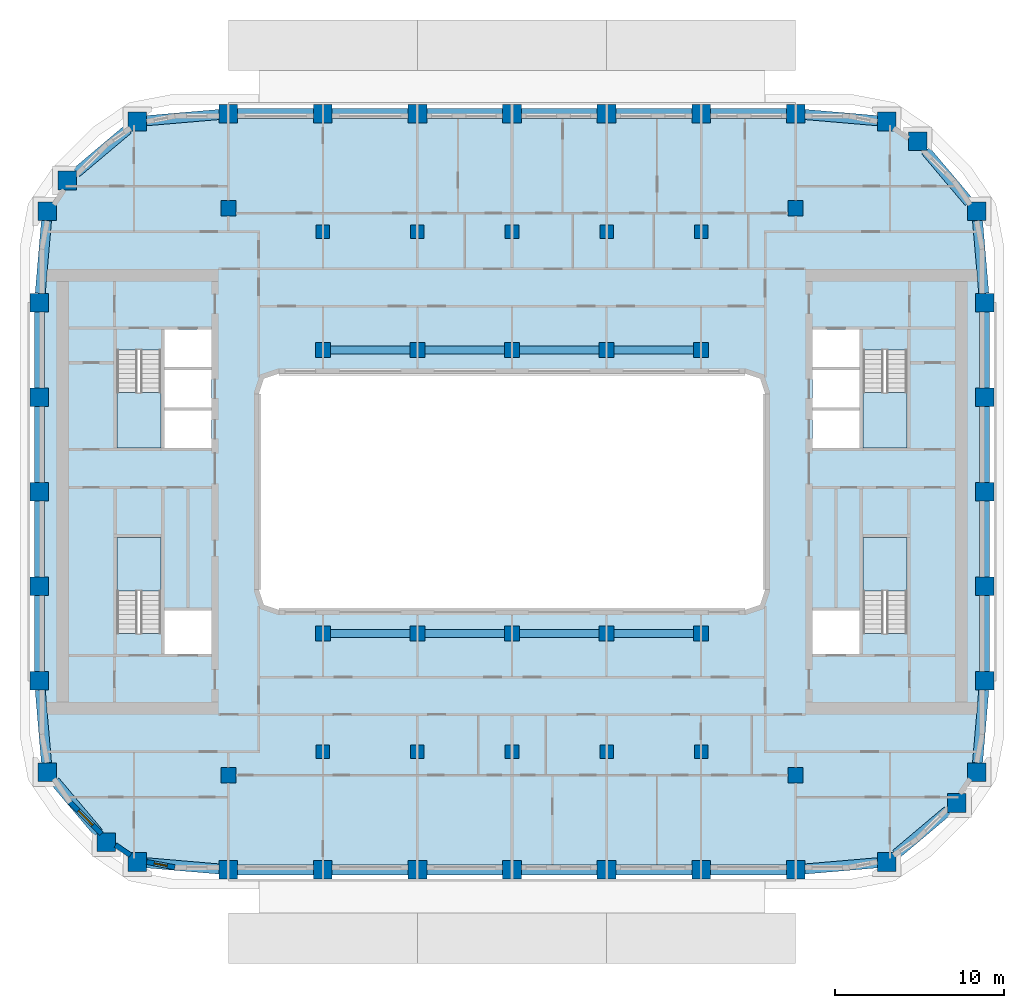
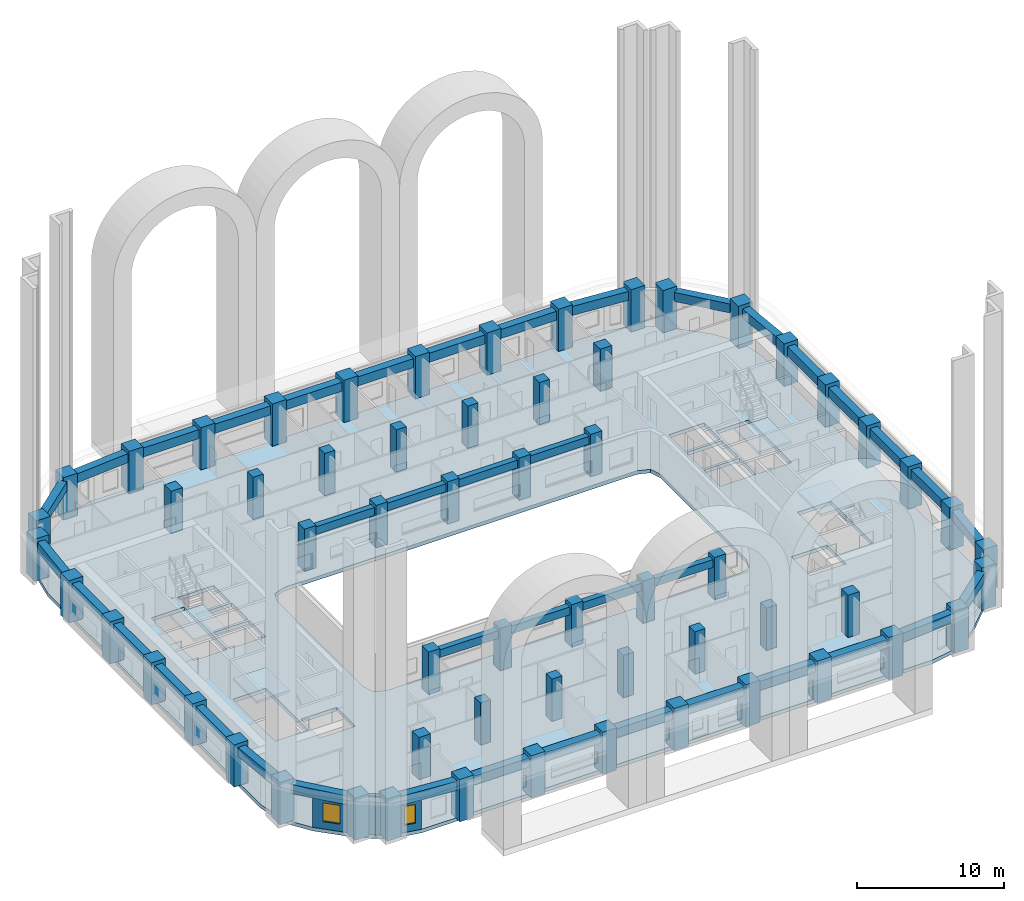
# One storey, part 1 of 18: 60 columns, 40 beams, 5 slabs, 3 walls, 2 windows, 2 openings, 4 elements without a shape of their own.
"""IFC4 building model written with IfcOpenShell, lengths in metres."""

from ifc_helpers import new_model, si_unit, direction, frame, frame_2d, origin, origin_2d, place, context, subcontext, project, spatial, polyline, rectangle, outline, extrude, material, layer, layer_set, material_profile, profile_set, type_object, element, fill, aggregate, save


model = new_model("IFC4")

# Units and contexts
model_context = context("Model", 3, precision=1e-05, world=origin(), true_north=direction((0.0, 1.0)))
body_context = subcontext(model_context, "Body", "Model", "MODEL_VIEW")
ifc_project = project(units=[si_unit("LENGTHUNIT", "METRE"), si_unit("AREAUNIT", "SQUARE_METRE"), si_unit("VOLUMEUNIT", "CUBIC_METRE"), si_unit("PLANEANGLEUNIT", "RADIAN"), si_unit("MASSUNIT", "GRAM", prefix="KILO")], contexts=[model_context])

# Site, building, storey
site_placement = place(None, origin())
site = spatial("IfcSite", under=ifc_project, at=site_placement, CompositionType="ELEMENT")
building_placement = place(site_placement, origin())
building = spatial("IfcBuilding", under=site, at=building_placement, Name="Kiln Ring Residences", CompositionType="ELEMENT")
storey_placement = place(building_placement, frame((0.0, 0.0, 136.10009765625)))
storey = spatial("IfcBuildingStorey", under=building, at=storey_placement, Name="L34", CompositionType="ELEMENT", Elevation=136.10009765625)

# Columns
ifc_material_1 = material(Name="Concrete C70/85", Category="concrete")
ifc_material_profile_1 = material_profile(ifc_material_1, rectangle(XDim=0.800048828125, YDim=0.800048828125, at=origin_2d()), Name="RC800x800")
ifc_profile_set_1 = profile_set([ifc_material_profile_1], Name="Concrete C70/85")
column_type_1 = type_object("IfcColumnType", Name="Corridor column RC800x800 C70/85", PredefinedType="COLUMN", material=ifc_profile_set_1)
for number, where, z_axis, x_axis, name in (
    (1, (-11.199951171875, 15.39990234375, 0.0), (0.0, 0.0, 1.0), (1.0, 0.0, 0.0), "Corridor column L34 1"),
    (2, (-5.60009765625, 15.39990234375, 0.0), (0.0, 0.0, 1.0), (1.0, 0.0, 0.0), "Corridor column L34 2"),
    (3, (0.0, 15.39990234375, 0.0), (0.0, 0.0, 1.0), (1.0, 0.0, 0.0), "Corridor column L34 3"),
    (4, (5.60009765625, 15.39990234375, 0.0), (0.0, 0.0, 1.0), (1.0, 0.0, 0.0), "Corridor column L34 4"),
    (5, (11.199951171875, 15.39990234375, 0.0), (0.0, 0.0, 1.0), (1.0, 0.0, 0.0), "Corridor column L34 5"),
    (6, (-11.199951171875, -15.39990234375, 0.0), (0.0, 0.0, 1.0), (1.0, 0.0, 0.0), "Corridor column L34 6"),
    (7, (-5.60009765625, -15.39990234375, 0.0), (0.0, 0.0, 1.0), (1.0, 0.0, 0.0), "Corridor column L34 7"),
    (8, (0.0, -15.39990234375, 0.0), (0.0, 0.0, 1.0), (1.0, 0.0, 0.0), "Corridor column L34 8"),
    (9, (5.60009765625, -15.39990234375, 0.0), (0.0, 0.0, 1.0), (1.0, 0.0, 0.0), "Corridor column L34 9"),
    (10, (11.199951171875, -15.39990234375, 0.0), (0.0, 0.0, 1.0), (1.0, 0.0, 0.0), "Corridor column L34 10"),
):
    element("IfcColumn", number, at=place(storey_placement, frame(where, z_axis=z_axis, x_axis=x_axis)), inside=storey, type_object=column_type_1, Name=name, PredefinedType="COLUMN", context=body_context, shape_type="SweptSolid", body=[
        extrude(rectangle(XDim=0.800048828125, YDim=0.800048828125, at=origin_2d()), origin(), (0.0, 0.0, 1.0), 3.5),
    ])
ifc_material_2 = material(Name="Concrete C70/85", Category="concrete")
ifc_material_profile_2 = material_profile(ifc_material_2, rectangle(XDim=1.10009765625, YDim=1.10009765625, at=origin_2d()), Name="RC1100x1100")
ifc_profile_set_2 = profile_set([ifc_material_profile_2], Name="Concrete C70/85")
column_type_2 = type_object("IfcColumnType", Name="Perimeter column RC1100x1100 C70/85", PredefinedType="COLUMN", material=ifc_profile_set_2)
for number, where, z_axis, x_axis, name in (
    (11, (-22.208740234375, -21.93798828125, 0.0), (0.0, 0.0, 1.0), (1.0, 0.0, 0.0), "Perimeter column L34 1"),
    (12, (-16.800048828125, -22.39990234375, 0.0), (0.0, 0.0, 1.0), (1.0, 0.0, 0.0), "Perimeter column L34 2"),
    (13, (-11.199951171875, -22.39990234375, 0.0), (0.0, 0.0, 1.0), (1.0, 0.0, 0.0), "Perimeter column L34 3"),
    (14, (-5.60009765625, -22.39990234375, 0.0), (0.0, 0.0, 1.0), (1.0, 0.0, 0.0), "Perimeter column L34 4"),
    (15, (0.0, -22.39990234375, 0.0), (0.0, 0.0, 1.0), (1.0, 0.0, 0.0), "Perimeter column L34 5"),
    (16, (5.60009765625, -22.39990234375, 0.0), (0.0, 0.0, 1.0), (1.0, 0.0, 0.0), "Perimeter column L34 6"),
    (17, (11.199951171875, -22.39990234375, 0.0), (0.0, 0.0, 1.0), (1.0, 0.0, 0.0), "Perimeter column L34 7"),
    (18, (16.800048828125, -22.39990234375, 0.0), (0.0, 0.0, 1.0), (1.0, 0.0, 0.0), "Perimeter column L34 8"),
    (19, (22.208740234375, -21.93798828125, 0.0), (0.0, 0.0, 1.0), (1.0, 0.0, 0.0), "Perimeter column L34 9"),
    (20, (26.35986328125, -18.440185546875, 0.0), (0.0, 0.0, 1.0), (1.0, 0.0, 0.0), "Perimeter column L34 10"),
    (21, (27.5380859375, -16.608642578125, 0.0), (0.0, 0.0, 1.0), (1.0, 0.0, 0.0), "Perimeter column L34 11"),
    (22, (28.0, -11.199951171875, 0.0), (0.0, 0.0, 1.0), (1.0, 0.0, 0.0), "Perimeter column L34 12"),
    (23, (28.0, -5.60009765625, 0.0), (0.0, 0.0, 1.0), (1.0, 0.0, 0.0), "Perimeter column L34 13"),
    (24, (28.0, 0.0, 0.0), (0.0, 0.0, 1.0), (1.0, 0.0, 0.0), "Perimeter column L34 14"),
    (25, (28.0, 5.60009765625, 0.0), (0.0, 0.0, 1.0), (1.0, 0.0, 0.0), "Perimeter column L34 15"),
    (26, (28.0, 11.199951171875, 0.0), (0.0, 0.0, 1.0), (1.0, 0.0, 0.0), "Perimeter column L34 16"),
    (27, (27.5380859375, 16.608642578125, 0.0), (0.0, 0.0, 1.0), (1.0, 0.0, 0.0), "Perimeter column L34 17"),
    (28, (24.040283203125, 20.759765625, 0.0), (0.0, 0.0, 1.0), (1.0, 0.0, 0.0), "Perimeter column L34 18"),
    (29, (22.208740234375, 21.93798828125, 0.0), (0.0, 0.0, 1.0), (1.0, 0.0, 0.0), "Perimeter column L34 19"),
    (30, (16.800048828125, 22.39990234375, 0.0), (0.0, 0.0, 1.0), (1.0, 0.0, 0.0), "Perimeter column L34 20"),
    (31, (11.199951171875, 22.39990234375, 0.0), (0.0, 0.0, 1.0), (1.0, 0.0, 0.0), "Perimeter column L34 21"),
    (32, (5.60009765625, 22.39990234375, 0.0), (0.0, 0.0, 1.0), (1.0, 0.0, 0.0), "Perimeter column L34 22"),
    (33, (0.0, 22.39990234375, 0.0), (0.0, 0.0, 1.0), (1.0, 0.0, 0.0), "Perimeter column L34 23"),
    (34, (-5.60009765625, 22.39990234375, 0.0), (0.0, 0.0, 1.0), (1.0, 0.0, 0.0), "Perimeter column L34 24"),
    (35, (-11.199951171875, 22.39990234375, 0.0), (0.0, 0.0, 1.0), (1.0, 0.0, 0.0), "Perimeter column L34 25"),
    (36, (-16.800048828125, 22.39990234375, 0.0), (0.0, 0.0, 1.0), (1.0, 0.0, 0.0), "Perimeter column L34 26"),
    (37, (-22.208740234375, 21.93798828125, 0.0), (0.0, 0.0, 1.0), (1.0, 0.0, 0.0), "Perimeter column L34 27"),
    (38, (-26.35986328125, 18.440185546875, 0.0), (0.0, 0.0, 1.0), (1.0, 0.0, 0.0), "Perimeter column L34 28"),
    (39, (-27.5380859375, 16.608642578125, 0.0), (0.0, 0.0, 1.0), (1.0, 0.0, 0.0), "Perimeter column L34 29"),
    (40, (-28.0, 11.199951171875, 0.0), (0.0, 0.0, 1.0), (1.0, 0.0, 0.0), "Perimeter column L34 30"),
    (41, (-28.0, 5.60009765625, 0.0), (0.0, 0.0, 1.0), (1.0, 0.0, 0.0), "Perimeter column L34 31"),
    (42, (-28.0, 0.0, 0.0), (0.0, 0.0, 1.0), (1.0, 0.0, 0.0), "Perimeter column L34 32"),
    (43, (-28.0, -5.60009765625, 0.0), (0.0, 0.0, 1.0), (1.0, 0.0, 0.0), "Perimeter column L34 33"),
    (44, (-28.0, -11.199951171875, 0.0), (0.0, 0.0, 1.0), (1.0, 0.0, 0.0), "Perimeter column L34 34"),
    (45, (-27.5380859375, -16.608642578125, 0.0), (0.0, 0.0, 1.0), (1.0, 0.0, 0.0), "Perimeter column L34 35"),
    (46, (-24.040283203125, -20.759765625, 0.0), (0.0, 0.0, 1.0), (1.0, 0.0, 0.0), "Perimeter column L34 36"),
):
    element("IfcColumn", number, at=place(storey_placement, frame(where, z_axis=z_axis, x_axis=x_axis)), inside=storey, type_object=column_type_2, Name=name, PredefinedType="COLUMN", context=body_context, shape_type="SweptSolid", body=[
        extrude(rectangle(XDim=1.10009765625, YDim=1.10009765625, at=origin_2d()), origin(), (0.0, 0.0, 1.0), 3.5),
    ])
ifc_material_3 = material(Name="Concrete C70/85", Category="concrete")
ifc_material_profile_3 = material_profile(ifc_material_3, rectangle(XDim=0.89990234375, YDim=0.89990234375, at=origin_2d()), Name="RC900x900")
ifc_profile_set_3 = profile_set([ifc_material_profile_3], Name="Concrete C70/85")
column_type_3 = type_object("IfcColumnType", Name="Ring column RC900x900 C70/85", PredefinedType="COLUMN", material=ifc_profile_set_3)
for number, where, z_axis, x_axis, name in (
    (47, (-16.800048828125, -16.800048828125, 0.0), (0.0, 0.0, 1.0), (1.0, 0.0, 0.0), "Ring column L34 1"),
    (48, (-16.800048828125, 16.800048828125, 0.0), (0.0, 0.0, 1.0), (1.0, 0.0, 0.0), "Ring column L34 2"),
    (49, (-11.199951171875, -8.39990234375, 0.0), (0.0, 0.0, 1.0), (1.0, 0.0, 0.0), "Ring column L34 3"),
    (50, (-11.199951171875, 8.39990234375, 0.0), (0.0, 0.0, 1.0), (1.0, 0.0, 0.0), "Ring column L34 4"),
    (51, (-5.60009765625, -8.39990234375, 0.0), (0.0, 0.0, 1.0), (1.0, 0.0, 0.0), "Ring column L34 5"),
    (52, (-5.60009765625, 8.39990234375, 0.0), (0.0, 0.0, 1.0), (1.0, 0.0, 0.0), "Ring column L34 6"),
    (53, (0.0, -8.39990234375, 0.0), (0.0, 0.0, 1.0), (1.0, 0.0, 0.0), "Ring column L34 7"),
    (54, (0.0, 8.39990234375, 0.0), (0.0, 0.0, 1.0), (1.0, 0.0, 0.0), "Ring column L34 8"),
    (55, (5.60009765625, -8.39990234375, 0.0), (0.0, 0.0, 1.0), (1.0, 0.0, 0.0), "Ring column L34 9"),
    (56, (5.60009765625, 8.39990234375, 0.0), (0.0, 0.0, 1.0), (1.0, 0.0, 0.0), "Ring column L34 10"),
    (57, (11.199951171875, -8.39990234375, 0.0), (0.0, 0.0, 1.0), (1.0, 0.0, 0.0), "Ring column L34 11"),
    (58, (11.199951171875, 8.39990234375, 0.0), (0.0, 0.0, 1.0), (1.0, 0.0, 0.0), "Ring column L34 12"),
    (59, (16.800048828125, -16.800048828125, 0.0), (0.0, 0.0, 1.0), (1.0, 0.0, 0.0), "Ring column L34 13"),
    (60, (16.800048828125, 16.800048828125, 0.0), (0.0, 0.0, 1.0), (1.0, 0.0, 0.0), "Ring column L34 14"),
):
    element("IfcColumn", number, at=place(storey_placement, frame(where, z_axis=z_axis, x_axis=x_axis)), inside=storey, type_object=column_type_3, Name=name, PredefinedType="COLUMN", context=body_context, shape_type="SweptSolid", body=[
        extrude(rectangle(XDim=0.89990234375, YDim=0.89990234375, at=origin_2d()), origin(), (0.0, 0.0, 1.0), 3.5),
    ])

# Beams
ifc_material_4 = material(Name="Concrete C50/60", Category="concrete")
ifc_material_profile_4 = material_profile(ifc_material_4, rectangle(XDim=0.449951171875, YDim=0.64990234375, at=origin_2d()), Name="RC450x650")
ifc_profile_set_4 = profile_set([ifc_material_profile_4], Name="Concrete C50/60")
beam_type_1 = type_object("IfcBeamType", Name="Ring beam RC450x650 C50/60", PredefinedType="BEAM", material=ifc_profile_set_4)
for number, where, z_axis, x_axis, name in (
    (61, (-10.75, -8.39990234375, 2.875), (1.0, 0.0, 0.0), (0.0, 1.0, 0.0), "Ring beam L34 1"),
    (62, (-5.14990234375, -8.39990234375, 2.875), (1.0, 0.0, 0.0), (0.0, 1.0, 0.0), "Ring beam L34 2"),
    (63, (0.449951171875, -8.39990234375, 2.875), (1.0, 0.0, 0.0), (0.0, 1.0, 0.0), "Ring beam L34 3"),
    (64, (6.050048828125, -8.39990234375, 2.875), (1.0, 0.0, 0.0), (0.0, 1.0, 0.0), "Ring beam L34 4"),
    (65, (-10.75, 8.39990234375, 2.875), (1.0, 0.0, 0.0), (0.0, 1.0, 0.0), "Ring beam L34 5"),
    (66, (-5.14990234375, 8.39990234375, 2.875), (1.0, 0.0, 0.0), (0.0, 1.0, 0.0), "Ring beam L34 6"),
    (67, (0.449951171875, 8.39990234375, 2.875), (1.0, 0.0, 0.0), (0.0, 1.0, 0.0), "Ring beam L34 7"),
    (68, (6.050048828125, 8.39990234375, 2.875), (1.0, 0.0, 0.0), (0.0, 1.0, 0.0), "Ring beam L34 8"),
):
    element("IfcBeam", number, at=place(storey_placement, frame(where, z_axis=z_axis, x_axis=x_axis)), inside=storey, type_object=beam_type_1, Name=name, PredefinedType="BEAM", context=body_context, shape_type="SweptSolid", body=[
        extrude(rectangle(XDim=0.449951171875, YDim=0.64990234375, at=origin_2d()), origin(), (0.0, 0.0, 1.0), 4.699951171875),
    ])
ifc_material_5 = material(Name="Concrete C50/60", Category="concrete")
ifc_material_profile_5 = material_profile(ifc_material_5, rectangle(XDim=0.60009765625, YDim=0.75, at=origin_2d()), Name="RC600x750")
ifc_profile_set_5 = profile_set([ifc_material_profile_5], Name="Concrete C50/60")
beam_type_2 = type_object("IfcBeamType", Name="Spandrel beam RC600x750 C50/60", PredefinedType="SPANDREL", material=ifc_profile_set_5)
beam_1_placement = place(storey_placement, frame((-21.65869140625, -21.985107421875, 2.824951171875), z_axis=(0.996373912127, -0.085082473117, 0.0), x_axis=(0.085082473117, 0.996373912127, 0.0)))
element("IfcBeam", 69, at=beam_1_placement, inside=storey, type_object=beam_type_2, Name="Spandrel beam L34 1", PredefinedType="SPANDREL", context=body_context, shape_type="SweptSolid", body=[
    extrude(rectangle(XDim=0.60009765625, YDim=0.75, at=origin_2d()), origin(), (0.0, 0.0, 1.0), 4.32421875),
])
for number, where, z_axis, x_axis, name in (
    (70, (-16.25, -22.39990234375, 2.824951171875), (1.0, 0.0, 0.0), (0.0, 1.0, 0.0), "Spandrel beam L34 2"),
    (71, (-10.64990234375, -22.39990234375, 2.824951171875), (1.0, 0.0, 0.0), (0.0, 1.0, 0.0), "Spandrel beam L34 3"),
    (72, (-5.050048828125, -22.39990234375, 2.824951171875), (1.0, 0.0, 0.0), (0.0, 1.0, 0.0), "Spandrel beam L34 4"),
    (73, (0.550048828125, -22.39990234375, 2.824951171875), (1.0, 0.0, 0.0), (0.0, 1.0, 0.0), "Spandrel beam L34 5"),
    (74, (6.14990234375, -22.39990234375, 2.824951171875), (1.0, 0.0, 0.0), (0.0, 1.0, 0.0), "Spandrel beam L34 6"),
    (75, (11.75, -22.39990234375, 2.824951171875), (1.0, 0.0, 0.0), (0.0, 1.0, 0.0), "Spandrel beam L34 7"),
):
    element("IfcBeam", number, at=place(storey_placement, frame(where, z_axis=z_axis, x_axis=x_axis)), inside=storey, type_object=beam_type_2, Name=name, PredefinedType="SPANDREL", context=body_context, shape_type="SweptSolid", body=[
        extrude(rectangle(XDim=0.60009765625, YDim=0.75, at=origin_2d()), origin(), (0.0, 0.0, 1.0), 4.5),
    ])
beam_2_placement = place(storey_placement, frame((17.35009765625, -22.35302734375, 2.824951171875), z_axis=(0.996373912127, 0.085082473117, 0.0), x_axis=(-0.085082473117, 0.996373912127, 0.0)))
element("IfcBeam", 76, at=beam_2_placement, inside=storey, type_object=beam_type_2, Name="Spandrel beam L34 8", PredefinedType="SPANDREL", context=body_context, shape_type="SweptSolid", body=[
    extrude(rectangle(XDim=0.60009765625, YDim=0.75, at=origin_2d()), origin(), (0.0, 0.0, 1.0), 4.32421875),
])
beam_3_placement = place(storey_placement, frame((22.7587890625, -21.474609375, 2.824951171875), z_axis=(0.764693765756, 0.6443938583, 0.0), x_axis=(-0.6443938583, 0.764693765756, 0.0)))
element("IfcBeam", 77, at=beam_3_placement, inside=storey, type_object=beam_type_2, Name="Spandrel beam L34 9", PredefinedType="SPANDREL", context=body_context, shape_type="SweptSolid", body=[
    extrude(rectangle(XDim=0.60009765625, YDim=0.75, at=origin_2d()), origin(), (0.0, 0.0, 1.0), 3.98974609375),
])
beam_4_placement = place(storey_placement, frame((27.5849609375, -16.05859375, 2.824951171875), z_axis=(0.085138522188, 0.996369124391, 0.0), x_axis=(-0.996369124391, 0.085138522188, 0.0)))
element("IfcBeam", 78, at=beam_4_placement, inside=storey, type_object=beam_type_2, Name="Spandrel beam L34 10", PredefinedType="SPANDREL", context=body_context, shape_type="SweptSolid", body=[
    extrude(rectangle(XDim=0.60009765625, YDim=0.75, at=origin_2d()), origin(), (0.0, 0.0, 1.0), 4.32421875),
])
for number, where, z_axis, x_axis, name in (
    (79, (28.0, -10.64990234375, 2.824951171875), (0.0, 1.0, 0.0), (-1.0, 0.0, 0.0), "Spandrel beam L34 11"),
    (80, (28.0, -5.050048828125, 2.824951171875), (0.0, 1.0, 0.0), (-1.0, 0.0, 0.0), "Spandrel beam L34 12"),
    (81, (28.0, 0.550048828125, 2.824951171875), (0.0, 1.0, 0.0), (-1.0, 0.0, 0.0), "Spandrel beam L34 13"),
    (82, (28.0, 6.14990234375, 2.824951171875), (0.0, 1.0, 0.0), (-1.0, 0.0, 0.0), "Spandrel beam L34 14"),
):
    element("IfcBeam", number, at=place(storey_placement, frame(where, z_axis=z_axis, x_axis=x_axis)), inside=storey, type_object=beam_type_2, Name=name, PredefinedType="SPANDREL", context=body_context, shape_type="SweptSolid", body=[
        extrude(rectangle(XDim=0.60009765625, YDim=0.75, at=origin_2d()), origin(), (0.0, 0.0, 1.0), 4.5),
    ])
beam_5_placement = place(storey_placement, frame((27.953125, 11.75, 2.824951171875), z_axis=(-0.085138522188, 0.996369124391, 0.0), x_axis=(-0.996369124391, -0.085138522188, 0.0)))
element("IfcBeam", 83, at=beam_5_placement, inside=storey, type_object=beam_type_2, Name="Spandrel beam L34 15", PredefinedType="SPANDREL", context=body_context, shape_type="SweptSolid", body=[
    extrude(rectangle(XDim=0.60009765625, YDim=0.75, at=origin_2d()), origin(), (0.0, 0.0, 1.0), 4.32421875),
])
beam_6_placement = place(storey_placement, frame((27.07470703125, 17.15869140625, 2.824951171875), z_axis=(-0.6443938583, 0.764693765756, 0.0), x_axis=(-0.764693765756, -0.6443938583, 0.0)))
element("IfcBeam", 84, at=beam_6_placement, inside=storey, type_object=beam_type_2, Name="Spandrel beam L34 16", PredefinedType="SPANDREL", context=body_context, shape_type="SweptSolid", body=[
    extrude(rectangle(XDim=0.60009765625, YDim=0.75, at=origin_2d()), origin(), (0.0, 0.0, 1.0), 3.98974609375),
])
beam_7_placement = place(storey_placement, frame((21.65869140625, 21.985107421875, 2.824951171875), z_axis=(-0.996373912127, 0.085082473117, 0.0), x_axis=(-0.085082473117, -0.996373912127, 0.0)))
element("IfcBeam", 85, at=beam_7_placement, inside=storey, type_object=beam_type_2, Name="Spandrel beam L34 17", PredefinedType="SPANDREL", context=body_context, shape_type="SweptSolid", body=[
    extrude(rectangle(XDim=0.60009765625, YDim=0.75, at=origin_2d()), origin(), (0.0, 0.0, 1.0), 4.32421875),
])
for number, where, z_axis, x_axis, name in (
    (86, (16.25, 22.39990234375, 2.824951171875), (-1.0, 0.0, 0.0), (0.0, -1.0, 0.0), "Spandrel beam L34 18"),
    (87, (10.64990234375, 22.39990234375, 2.824951171875), (-1.0, 0.0, 0.0), (0.0, -1.0, 0.0), "Spandrel beam L34 19"),
    (88, (5.050048828125, 22.39990234375, 2.824951171875), (-1.0, 0.0, 0.0), (0.0, -1.0, 0.0), "Spandrel beam L34 20"),
    (89, (-0.550048828125, 22.39990234375, 2.824951171875), (-1.0, 0.0, 0.0), (0.0, -1.0, 0.0), "Spandrel beam L34 21"),
    (90, (-6.14990234375, 22.39990234375, 2.824951171875), (-1.0, 0.0, 0.0), (0.0, -1.0, 0.0), "Spandrel beam L34 22"),
    (91, (-11.75, 22.39990234375, 2.824951171875), (-1.0, 0.0, 0.0), (0.0, -1.0, 0.0), "Spandrel beam L34 23"),
):
    element("IfcBeam", number, at=place(storey_placement, frame(where, z_axis=z_axis, x_axis=x_axis)), inside=storey, type_object=beam_type_2, Name=name, PredefinedType="SPANDREL", context=body_context, shape_type="SweptSolid", body=[
        extrude(rectangle(XDim=0.60009765625, YDim=0.75, at=origin_2d()), origin(), (0.0, 0.0, 1.0), 4.5),
    ])
beam_8_placement = place(storey_placement, frame((-17.35009765625, 22.35302734375, 2.824951171875), z_axis=(-0.996373912127, -0.085082473117, 0.0), x_axis=(0.085082473117, -0.996373912127, 0.0)))
element("IfcBeam", 92, at=beam_8_placement, inside=storey, type_object=beam_type_2, Name="Spandrel beam L34 24", PredefinedType="SPANDREL", context=body_context, shape_type="SweptSolid", body=[
    extrude(rectangle(XDim=0.60009765625, YDim=0.75, at=origin_2d()), origin(), (0.0, 0.0, 1.0), 4.32421875),
])
beam_9_placement = place(storey_placement, frame((-22.7587890625, 21.474609375, 2.824951171875), z_axis=(-0.764693765756, -0.6443938583, 0.0), x_axis=(0.6443938583, -0.764693765756, 0.0)))
element("IfcBeam", 93, at=beam_9_placement, inside=storey, type_object=beam_type_2, Name="Spandrel beam L34 25", PredefinedType="SPANDREL", context=body_context, shape_type="SweptSolid", body=[
    extrude(rectangle(XDim=0.60009765625, YDim=0.75, at=origin_2d()), origin(), (0.0, 0.0, 1.0), 3.98974609375),
])
beam_10_placement = place(storey_placement, frame((-27.5849609375, 16.05859375, 2.824951171875), z_axis=(-0.085138522188, -0.996369124391, 0.0), x_axis=(0.996369124391, -0.085138522188, 0.0)))
element("IfcBeam", 94, at=beam_10_placement, inside=storey, type_object=beam_type_2, Name="Spandrel beam L34 26", PredefinedType="SPANDREL", context=body_context, shape_type="SweptSolid", body=[
    extrude(rectangle(XDim=0.60009765625, YDim=0.75, at=origin_2d()), origin(), (0.0, 0.0, 1.0), 4.32421875),
])
for number, where, z_axis, x_axis, name in (
    (95, (-28.0, 10.64990234375, 2.824951171875), (0.0, -1.0, 0.0), (1.0, 0.0, 0.0), "Spandrel beam L34 27"),
    (96, (-28.0, 5.050048828125, 2.824951171875), (0.0, -1.0, 0.0), (1.0, 0.0, 0.0), "Spandrel beam L34 28"),
    (97, (-28.0, -0.550048828125, 2.824951171875), (0.0, -1.0, 0.0), (1.0, 0.0, 0.0), "Spandrel beam L34 29"),
    (98, (-28.0, -6.14990234375, 2.824951171875), (0.0, -1.0, 0.0), (1.0, 0.0, 0.0), "Spandrel beam L34 30"),
):
    element("IfcBeam", number, at=place(storey_placement, frame(where, z_axis=z_axis, x_axis=x_axis)), inside=storey, type_object=beam_type_2, Name=name, PredefinedType="SPANDREL", context=body_context, shape_type="SweptSolid", body=[
        extrude(rectangle(XDim=0.60009765625, YDim=0.75, at=origin_2d()), origin(), (0.0, 0.0, 1.0), 4.5),
    ])
beam_11_placement = place(storey_placement, frame((-27.953125, -11.75, 2.824951171875), z_axis=(0.085138522188, -0.996369124391, 0.0), x_axis=(0.996369124391, 0.085138522188, 0.0)))
element("IfcBeam", 99, at=beam_11_placement, inside=storey, type_object=beam_type_2, Name="Spandrel beam L34 31", PredefinedType="SPANDREL", context=body_context, shape_type="SweptSolid", body=[
    extrude(rectangle(XDim=0.60009765625, YDim=0.75, at=origin_2d()), origin(), (0.0, 0.0, 1.0), 4.32421875),
])
beam_12_placement = place(storey_placement, frame((-27.07470703125, -17.15869140625, 2.824951171875), z_axis=(0.6443938583, -0.764693765756, 0.0), x_axis=(0.764693765756, 0.6443938583, 0.0)))
element("IfcBeam", 100, at=beam_12_placement, inside=storey, type_object=beam_type_2, Name="Spandrel beam L34 32", PredefinedType="SPANDREL", context=body_context, shape_type="SweptSolid", body=[
    extrude(rectangle(XDim=0.60009765625, YDim=0.75, at=origin_2d()), origin(), (0.0, 0.0, 1.0), 3.98974609375),
])

# Stair, slab
ifc_material_6 = material(Name="Concrete C40/50", Category="concrete")
stair_type = type_object("IfcStairType", Name="CORE-STAIR", PredefinedType="HALF_TURN_STAIR", material=ifc_material_6)
placement_1 = place(storey_placement, origin())
stair_1 = element("IfcStair", 101, at=placement_1, inside=storey, type_object=stair_type, Name="L34 stair W-STN", PredefinedType="HALF_TURN_STAIR")
ifc_material_7 = material(Name="Concrete C40/50", Category="concrete")
ifc_layer_1 = layer(ifc_material_7, 0.199951171875)
ifc_layer_set_1 = layer_set([ifc_layer_1], Name="CORE-STAIR-LANDING")
slab_type_1 = type_object("IfcSlabType", Name="CORE-STAIR-LANDING", PredefinedType="LANDING", material=ifc_layer_set_1)
placement_2 = place(storey_placement, frame((0.0, 0.0, 1.5498046875)))
slab_1 = element("IfcSlab", 102, at=placement_2, type_object=slab_type_1, Name="W-STN landing 1", PredefinedType="LANDING", context=body_context, shape_type="SweptSolid", body=[
    extrude(outline(polyline([(-23.39990234375, 5.8798828125), (-23.39990234375, 2.60009765625), (-20.800048828125, 2.60009765625), (-20.800048828125, 5.8798828125), (-23.39990234375, 5.8798828125)])), origin(), (0.0, 0.0, 1.0), 0.2001953125),
])
aggregate(stair_1, [slab_1])

stair_2 = element("IfcStair", 103, at=placement_1, inside=storey, type_object=stair_type, Name="L34 stair W-STS", PredefinedType="HALF_TURN_STAIR")
slab_2 = element("IfcSlab", 104, at=placement_2, type_object=slab_type_1, Name="W-STS landing 1", PredefinedType="LANDING", context=body_context, shape_type="SweptSolid", body=[
    extrude(outline(polyline([(-20.800048828125, -5.8798828125), (-20.800048828125, -2.699951171875), (-23.39990234375, -2.699951171875), (-23.39990234375, -5.8798828125), (-20.800048828125, -5.8798828125)])), origin(), (0.0, 0.0, 1.0), 0.2001953125),
])
aggregate(stair_2, [slab_2])

stair_3 = element("IfcStair", 105, at=placement_1, inside=storey, type_object=stair_type, Name="L34 stair E-STN", PredefinedType="HALF_TURN_STAIR")
slab_3 = element("IfcSlab", 106, at=placement_2, type_object=slab_type_1, Name="E-STN landing 1", PredefinedType="LANDING", context=body_context, shape_type="SweptSolid", body=[
    extrude(outline(polyline([(20.800048828125, 5.8798828125), (20.800048828125, 2.60009765625), (23.39990234375, 2.60009765625), (23.39990234375, 5.8798828125), (20.800048828125, 5.8798828125)])), origin(), (0.0, 0.0, 1.0), 0.2001953125),
])
aggregate(stair_3, [slab_3])

stair_4 = element("IfcStair", 107, at=placement_1, inside=storey, type_object=stair_type, Name="L34 stair E-STS", PredefinedType="HALF_TURN_STAIR")
slab_4 = element("IfcSlab", 108, at=placement_2, type_object=slab_type_1, Name="E-STS landing 1", PredefinedType="LANDING", context=body_context, shape_type="SweptSolid", body=[
    extrude(outline(polyline([(23.39990234375, -5.8798828125), (23.39990234375, -2.699951171875), (20.800048828125, -2.699951171875), (20.800048828125, -5.8798828125), (23.39990234375, -5.8798828125)])), origin(), (0.0, 0.0, 1.0), 0.2001953125),
])
aggregate(stair_4, [slab_4])

# Slab
ifc_material_8 = material(Name="Concrete C40/50", Category="concrete")
ifc_layer_2 = layer(ifc_material_8, 0.300048828125)
ifc_layer_set_2 = layer_set([ifc_layer_2], Name="Floor slab 300")
slab_type_2 = type_object("IfcSlabType", Name="Floor slab 300", PredefinedType="FLOOR", material=ifc_layer_set_2)
slab_5_placement = place(storey_placement, frame((0.0, 0.0, -0.300048828125)))
element("IfcSlab", 109, at=slab_5_placement, inside=storey, type_object=slab_type_2, Name="Floor slab L34 1", PredefinedType="FLOOR", context=body_context, shape_type="SweptSolid", body=[
    extrude(outline(polyline([(-26.302978515625, -18.4970703125), (-24.09716796875, -20.702880859375), (-22.224365234375, -21.975830078125), (-20.0, -22.39990234375), (20.0, -22.39990234375), (22.224365234375, -21.975830078125), (24.09716796875, -20.702880859375), (26.302978515625, -18.4970703125), (27.57568359375, -16.624267578125), (28.0, -14.39990234375), (28.0, 14.39990234375), (27.57568359375, 16.624267578125), (26.302978515625, 18.4970703125), (24.09716796875, 20.702880859375), (22.224365234375, 21.975830078125), (20.0, 22.39990234375), (-20.0, 22.39990234375), (-22.224365234375, 21.975830078125), (-24.09716796875, 20.702880859375), (-26.302978515625, 18.4970703125), (-27.57568359375, 16.624267578125), (-28.0, 14.39990234375), (-28.0, -14.39990234375), (-27.57568359375, -16.624267578125), (-26.302978515625, -18.4970703125)]), holes=[polyline([(-14.699951171875, -6.699951171875), (-15.0, -5.800048828125), (-15.0, 5.800048828125), (-14.699951171875, 6.699951171875), (-13.800048828125, 7.0), (13.800048828125, 7.0), (14.699951171875, 6.699951171875), (15.0, 5.800048828125), (15.0, -5.800048828125), (14.699951171875, -6.699951171875), (13.800048828125, -7.0), (-13.800048828125, -7.0), (-14.699951171875, -6.699951171875)]), polyline([(20.800048828125, -8.39794921875), (20.800048828125, -2.699951171875), (23.39990234375, -2.699951171875), (23.39990234375, -8.39794921875), (20.800048828125, -8.39794921875)]), polyline([(23.39990234375, 2.60009765625), (20.800048828125, 2.60009765625), (20.800048828125, 8.39794921875), (23.39990234375, 8.39794921875), (23.39990234375, 2.60009765625)]), polyline([(17.800048828125, 2.60009765625), (17.800048828125, 4.800048828125), (20.60009765625, 4.800048828125), (20.60009765625, 2.60009765625), (17.800048828125, 2.60009765625)]), polyline([(17.800048828125, 5.0), (17.800048828125, 7.199951171875), (20.60009765625, 7.199951171875), (20.60009765625, 5.0), (17.800048828125, 5.0)]), polyline([(17.800048828125, 7.39990234375), (17.800048828125, 9.60009765625), (20.60009765625, 9.60009765625), (20.60009765625, 7.39990234375), (17.800048828125, 7.39990234375)]), polyline([(20.60009765625, -9.60009765625), (17.800048828125, -9.60009765625), (17.800048828125, -7.050048828125), (20.60009765625, -7.050048828125), (20.60009765625, -9.60009765625)]), polyline([(-17.800048828125, -7.050048828125), (-17.800048828125, -9.60009765625), (-20.60009765625, -9.60009765625), (-20.60009765625, -7.050048828125), (-17.800048828125, -7.050048828125)]), polyline([(-17.800048828125, 2.60009765625), (-20.60009765625, 2.60009765625), (-20.60009765625, 4.800048828125), (-17.800048828125, 4.800048828125), (-17.800048828125, 2.60009765625)]), polyline([(-17.800048828125, 5.0), (-20.60009765625, 5.0), (-20.60009765625, 7.199951171875), (-17.800048828125, 7.199951171875), (-17.800048828125, 5.0)]), polyline([(-17.800048828125, 7.39990234375), (-20.60009765625, 7.39990234375), (-20.60009765625, 9.60009765625), (-17.800048828125, 9.60009765625), (-17.800048828125, 7.39990234375)]), polyline([(-20.800048828125, -8.39794921875), (-23.39990234375, -8.39794921875), (-23.39990234375, -2.699951171875), (-20.800048828125, -2.699951171875), (-20.800048828125, -8.39794921875)]), polyline([(-20.800048828125, 8.39794921875), (-20.800048828125, 2.60009765625), (-23.39990234375, 2.60009765625), (-23.39990234375, 8.39794921875), (-20.800048828125, 8.39794921875)])]), origin(), (0.0, 0.0, 1.0), 0.300048828125),
])

# Wall, opening, window
ifc_material_9 = material(Name="Brick masonry, dark clay brick", Category="masonry")
ifc_layer_3 = layer(ifc_material_9, 0.300048828125)
ifc_layer_set_3 = layer_set([ifc_layer_3], Name="EW-300 BRICK WALL")
wall_type = type_object("IfcWallType", Name="EW-300 BRICK WALL", PredefinedType="SOLIDWALL", material=ifc_layer_set_3)
wall_1_placement = place(storey_placement, frame((-26.19677734375, -18.390869140625, 0.0), z_axis=(0.0, 0.0, 1.0), x_axis=(0.707060717099, -0.707152842274, 0.0)))
wall_1 = element("IfcWall", 110, at=wall_1_placement, inside=storey, type_object=wall_type, Name="Facade wall L34 1", PredefinedType="SOLIDWALL", context=body_context, shape_type="SweptSolid", body=[
    extrude(rectangle(XDim=2.650146484375, YDim=0.300048828125, at=frame_2d((1.3251953125, 0.0))), origin(), (0.0, 0.0, 1.0), 2.449951171875),
])
opening_1_placement = place(wall_1_placement, frame((0.72509765625, 0.0, 0.60009765625)))
opening_1 = element("IfcOpeningElement", 111, at=opening_1_placement, cuts=wall_1, Name="Opening W1", PredefinedType="OPENING", context=body_context, shape_type="SweptSolid", body=[
    extrude(rectangle(XDim=1.199951171875, YDim=1.550048828125, at=frame_2d((0.60009765625, 0.77490234375))), frame((0.0, 0.159912109375, 0.0), z_axis=(0.0, -1.0, 0.0), x_axis=(1.0, 0.0, 0.0)), (0.0, 0.0, 1.0), 0.320068359375),
])
ifc_material_10 = material(Name="Aluminium frame with double glazing", Category="aluminium")
window_type_1 = type_object("IfcWindowType", Name="WINDOW 1200 x 1550", PartitioningType="SINGLE_PANEL", PredefinedType="WINDOW", material=ifc_material_10)
window_1_placement = place(opening_1_placement, origin())
window_1 = element("IfcWindow", 112, at=window_1_placement, inside=storey, type_object=window_type_1, Name="Window L34 1", OverallHeight=1.550048828125, OverallWidth=1.199951171875, PartitioningType="SINGLE_PANEL", PredefinedType="WINDOW", context=body_context, shape_type="SweptSolid", body=[
    extrude(rectangle(XDim=1.199951171875, YDim=1.550048828125, at=frame_2d((0.60009765625, 0.77490234375))), frame((0.0, 0.030029296875, 0.0), z_axis=(0.0, -1.0, 0.0), x_axis=(1.0, 0.0, 0.0)), (0.0, 0.0, 1.0), 0.06005859375),
])
fill(opening_1, window_1)

# Wall
wall_2_placement = place(storey_placement, frame((-23.492431640625, -20.932373046875, 0.0), z_axis=(0.0, 0.0, 1.0), x_axis=(0.826993959827, -0.562210806023, 0.0)))
element("IfcWall", 113, at=wall_2_placement, inside=storey, type_object=wall_type, Name="Facade wall L34 2", PredefinedType="SOLIDWALL", context=body_context, shape_type="SweptSolid", body=[
    extrude(rectangle(XDim=1.076904296875, YDim=0.300048828125, at=frame_2d((0.53857421875, 0.0))), origin(), (0.0, 0.0, 1.0), 3.199951171875),
])

# Wall, opening, window
wall_3_placement = place(storey_placement, frame((-21.647705078125, -21.93310546875, 0.0), z_axis=(0.0, 0.0, 1.0), x_axis=(0.982297206936, -0.187329114784, 0.0)))
wall_3 = element("IfcWall", 114, at=wall_3_placement, inside=storey, type_object=wall_type, Name="Facade wall L34 3", PredefinedType="SOLIDWALL", context=body_context, shape_type="SweptSolid", body=[
    extrude(rectangle(XDim=1.7060546875, YDim=0.300048828125, at=frame_2d((0.85302734375, 0.0))), origin(), (0.0, 0.0, 1.0), 2.449951171875),
])
opening_2_placement = place(wall_3_placement, frame((0.453125, 0.0, 0.60009765625)))
opening_2 = element("IfcOpeningElement", 115, at=opening_2_placement, cuts=wall_3, Name="Opening W5", PredefinedType="OPENING", context=body_context, shape_type="SweptSolid", body=[
    extrude(rectangle(XDim=0.800048828125, YDim=1.550048828125, at=frame_2d((0.39990234375, 0.77490234375))), frame((0.0, 0.159912109375, 0.0), z_axis=(0.0, -1.0, 0.0), x_axis=(1.0, 0.0, 0.0)), (0.0, 0.0, 1.0), 0.320068359375),
])
ifc_material_11 = material(Name="Aluminium frame with double glazing", Category="aluminium")
window_type_2 = type_object("IfcWindowType", Name="WINDOW 800 x 1550", PartitioningType="SINGLE_PANEL", PredefinedType="WINDOW", material=ifc_material_11)
window_2_placement = place(opening_2_placement, origin())
window_2 = element("IfcWindow", 116, at=window_2_placement, inside=storey, type_object=window_type_2, Name="Window L34 2", OverallHeight=1.550048828125, OverallWidth=0.800048828125, PartitioningType="SINGLE_PANEL", PredefinedType="WINDOW", context=body_context, shape_type="SweptSolid", body=[
    extrude(rectangle(XDim=0.800048828125, YDim=1.550048828125, at=frame_2d((0.39990234375, 0.77490234375))), frame((0.0, 0.030029296875, 0.0), z_axis=(0.0, -1.0, 0.0), x_axis=(1.0, 0.0, 0.0)), (0.0, 0.0, 1.0), 0.06005859375),
])
fill(opening_2, window_2)

save(model, "model.ifc")
